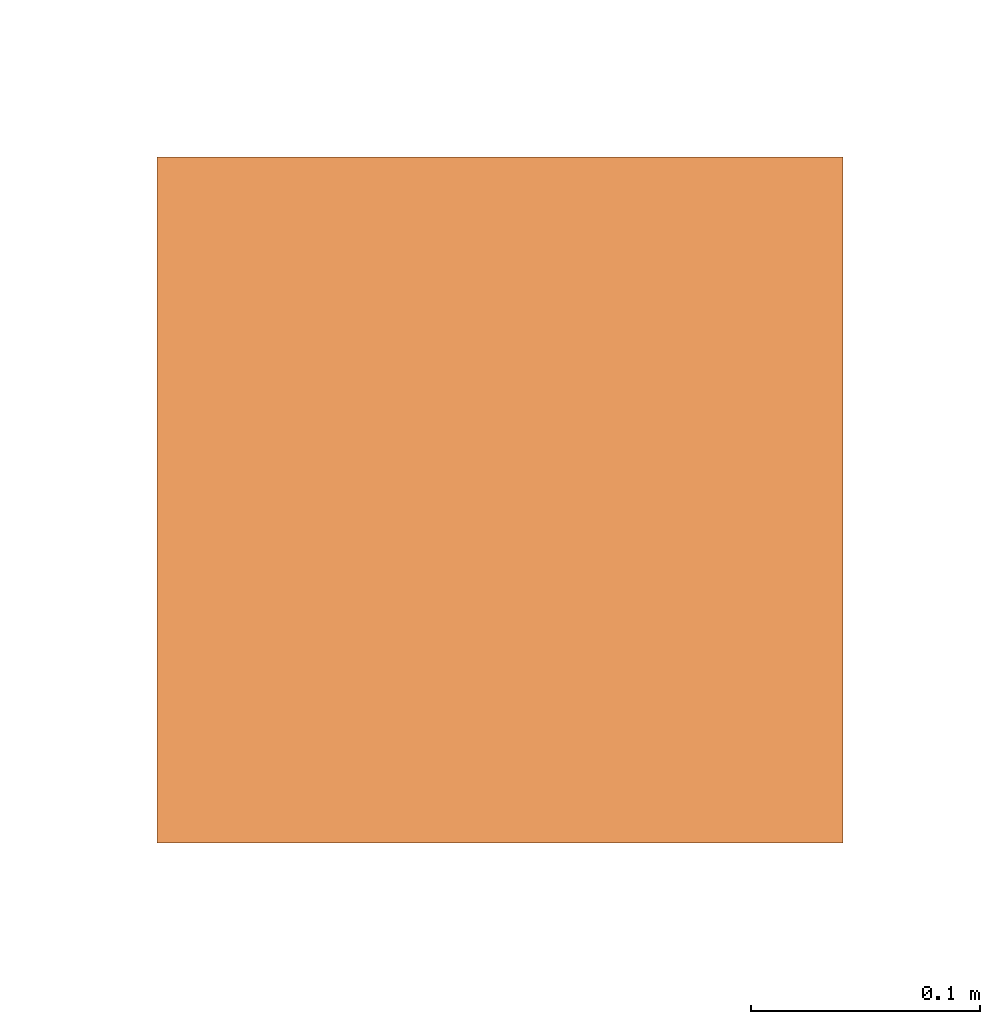
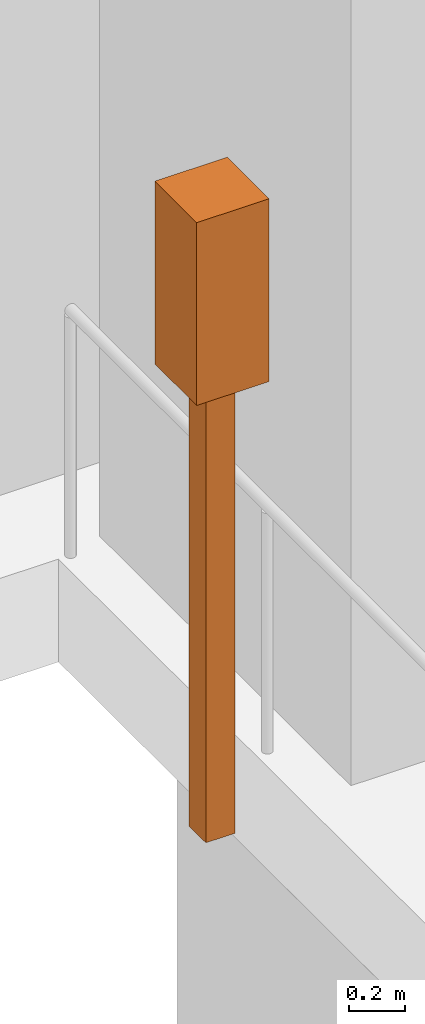
# One storey, part 21 of 21: 1 proxy.
"""IFC4 building model written with IfcOpenShell, lengths in metres."""

from ifc_helpers import new_model, si_unit, direction, frame, origin, origin_2d, place, context, subcontext, project, spatial, rectangle, extrude, material, type_object, element, save


model = new_model("IFC4")

# Units and contexts
model_context = context("Model", 3, precision=1e-05, world=origin(), true_north=direction((0.0, 1.0)))
body_context = subcontext(model_context, "Body", "Model", "MODEL_VIEW")
ifc_project = project(units=[si_unit("LENGTHUNIT", "METRE"), si_unit("AREAUNIT", "SQUARE_METRE"), si_unit("VOLUMEUNIT", "CUBIC_METRE"), si_unit("PLANEANGLEUNIT", "RADIAN"), si_unit("MASSUNIT", "GRAM", prefix="KILO")], contexts=[model_context])

# Site, building, storey
site_placement = place(None, origin())
site = spatial("IfcSite", under=ifc_project, at=site_placement, CompositionType="ELEMENT")
building_placement = place(site_placement, origin())
building = spatial("IfcBuilding", under=site, at=building_placement, Name="Highveld Stack Headquarters", CompositionType="ELEMENT")
storey_placement = place(building_placement, origin())
storey = spatial("IfcBuildingStorey", under=building, at=storey_placement, Name="L00", CompositionType="ELEMENT", Elevation=0.0)

# Proxy
ifc_material = material(Name="Steel S355", Category="steel")
building_element_proxy_type = type_object("IfcBuildingElementProxyType", Name="TRAFFIC SIGNAL HEAD", PredefinedType="USERDEFINED", material=ifc_material)
proxy_placement = place(storey_placement, frame((-13.449951171875, 29.315673828125, -0.166259765625), z_axis=(0.0, 0.0, 1.0), x_axis=(1.0, 0.0, 0.0)))
element("IfcBuildingElementProxy", 1, at=proxy_placement, inside=storey, type_object=building_element_proxy_type, Name="Traffic signal R1-S1", ObjectType="TRAFFIC SIGNAL HEAD", PredefinedType="USERDEFINED", context=body_context, shape_type="SweptSolid", body=[
    extrude(rectangle(XDim=0.1201171875, YDim=0.1201171875, at=origin_2d()), origin(), (0.0, 0.0, 1.0), 2.0),
    extrude(rectangle(XDim=0.300048828125, YDim=0.300048828125, at=origin_2d()), frame((0.0, 0.0, 1.9998779296875)), (0.0, 0.0, 1.0), 0.800048828125),
])

save(model, "model.ifc")
